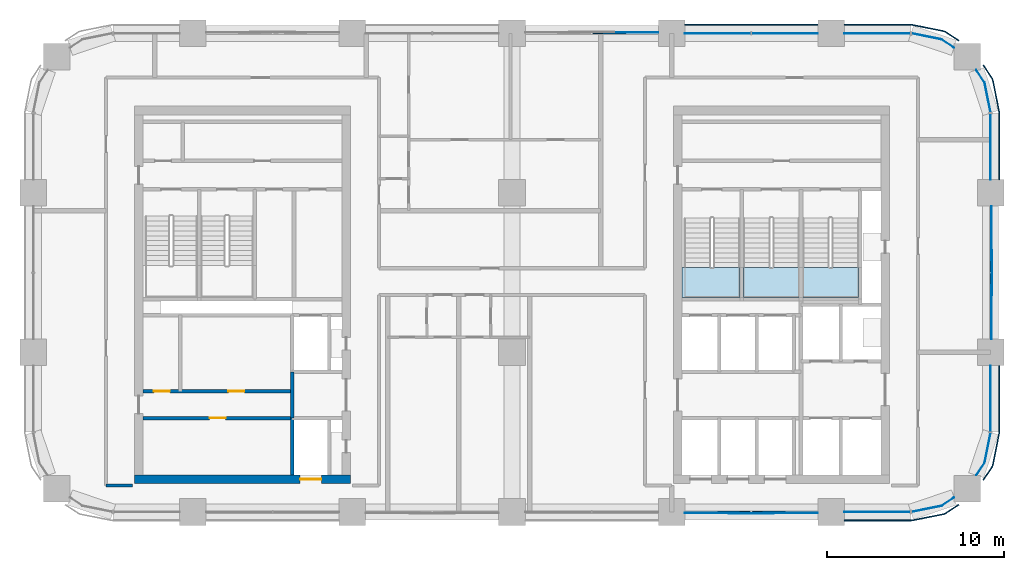
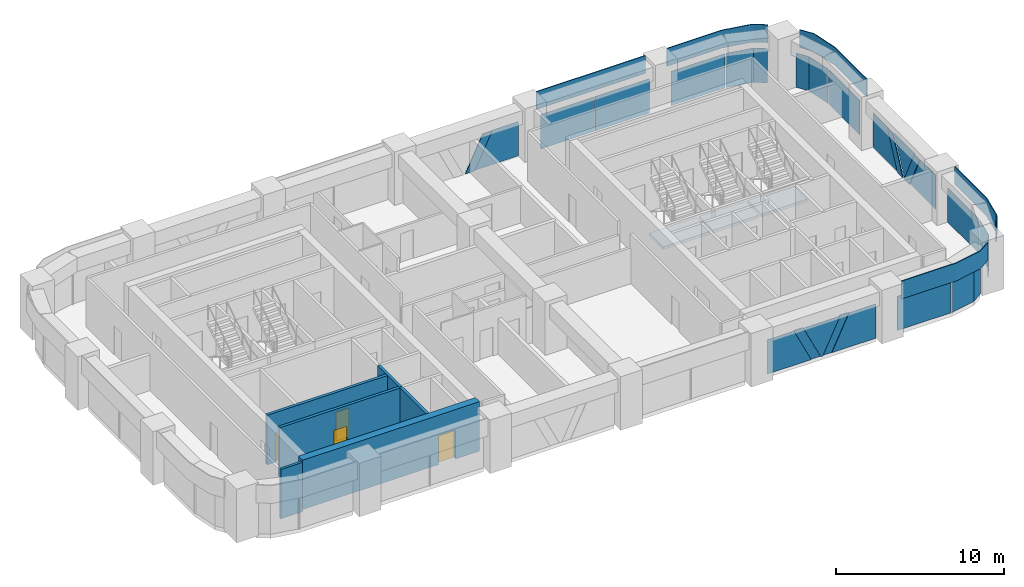
# One storey, part 8 of 14: 27 plates, 6 walls, 4 doors, 3 slabs, 4 openings, 11 elements without a shape of their own.
"""IFC4 building model written with IfcOpenShell, lengths in metres."""

from ifc_helpers import new_model, si_unit, direction, frame, frame_2d, origin, origin_2d, place, context, subcontext, project, spatial, polyline, rectangle, outline, extrude, material, layer, layer_set, type_object, element, fill, aggregate, save


model = new_model("IFC4")

# Units and contexts
model_context = context("Model", 3, precision=1e-05, world=origin(), true_north=direction((0.0, 1.0)))
body_context = subcontext(model_context, "Body", "Model", "MODEL_VIEW")
ifc_project = project(units=[si_unit("LENGTHUNIT", "METRE"), si_unit("AREAUNIT", "SQUARE_METRE"), si_unit("VOLUMEUNIT", "CUBIC_METRE"), si_unit("PLANEANGLEUNIT", "RADIAN"), si_unit("MASSUNIT", "GRAM", prefix="KILO")], contexts=[model_context])

# Site, building, storey
site_placement = place(None, origin())
site = spatial("IfcSite", under=ifc_project, at=site_placement, CompositionType="ELEMENT")
building_placement = place(site_placement, origin())
building = spatial("IfcBuilding", under=site, at=building_placement, Name="Tessera Arch", CompositionType="ELEMENT")
storey_placement = place(building_placement, frame((0.0, 0.0, 173.89990234375)))
storey = spatial("IfcBuildingStorey", under=building, at=storey_placement, Name="L41", CompositionType="ELEMENT", Elevation=173.89990234375)

# Curtain wall, plates
ifc_material_1 = material(Name="CW1 curtain wall")
curtain_wall_type_1 = type_object("IfcCurtainWallType", Name="CW1 curtain wall", PredefinedType="NOTDEFINED", material=ifc_material_1)
curtain_wall_1_placement = place(storey_placement, origin())
curtain_wall_1 = element("IfcCurtainWall", 1, at=curtain_wall_1_placement, inside=storey, type_object=curtain_wall_type_1, Name="CW1 curtain wall N54.0/1 L41", PredefinedType="NOTDEFINED")
ifc_material_2 = material(Name="Clear low-e glass", Category="glass")
ifc_material_3 = material(Name="Clear low-e glass", Category="glass")
ifc_layer_1 = layer(ifc_material_3, 0.028076171875)
ifc_layer_set_1 = layer_set([ifc_layer_1], Name="CW1 glass panel")
plate_type_1 = type_object("IfcPlateType", Name="CW1 glass panel", PredefinedType="CURTAIN_PANEL", material=ifc_layer_set_1)
plate_1_placement = place(storey_placement, frame((42.389892578125, 54.0, 0.0), z_axis=(0.0, 0.0, 1.0), x_axis=(-1.0, 0.0, 0.0)))
plate_1 = element("IfcPlate", 2, at=plate_1_placement, type_object=plate_type_1, material=ifc_material_2, Name="CW1 glass panel N54.0/1 1.1.1", PredefinedType="CURTAIN_PANEL", context=body_context, shape_type="SweptSolid", body=[
    extrude(rectangle(XDim=3.719970703125, YDim=0.028076171875, at=origin_2d()), origin(), (0.0, 0.0, 1.0), 2.5),
])
plate_2_placement = place(storey_placement, frame((38.610107421875, 54.0, 0.0), z_axis=(0.0, 0.0, 1.0), x_axis=(-1.0, 0.0, 0.0)))
plate_2 = element("IfcPlate", 3, at=plate_2_placement, type_object=plate_type_1, material=ifc_material_2, Name="CW1 glass panel N54.0/1 1.2.1", PredefinedType="CURTAIN_PANEL", context=body_context, shape_type="SweptSolid", body=[
    extrude(rectangle(XDim=3.719970703125, YDim=0.028076171875, at=origin_2d()), origin(), (0.0, 0.0, 1.0), 2.5),
])
ifc_material_4 = material(Name="Pale anodised aluminium panel", Category="aluminium")
ifc_layer_2 = layer(ifc_material_4, 0.06005859375)
ifc_layer_set_2 = layer_set([ifc_layer_2], Name="CW1 spandrel panel")
plate_type_2 = type_object("IfcPlateType", Name="CW1 spandrel panel", PredefinedType="CURTAIN_PANEL", material=ifc_layer_set_2)
plate_3_placement = place(storey_placement, frame((40.5, 54.47998046875, 2.60009765625), z_axis=(0.0, 0.0, 1.0), x_axis=(-1.0, 0.0, 0.0)))
plate_3 = element("IfcPlate", 4, at=plate_3_placement, type_object=plate_type_2, Name="CW1 spandrel panel N54.0/1", PredefinedType="CURTAIN_PANEL", context=body_context, shape_type="SweptSolid", body=[
    extrude(rectangle(XDim=7.5, YDim=0.06005859375, at=origin_2d()), origin(), (0.0, 0.0, 1.0), 1.300048828125),
])
aggregate(curtain_wall_1, [plate_1, plate_2, plate_3])

ifc_material_5 = material(Name="CW2 curtain wall")
curtain_wall_type_2 = type_object("IfcCurtainWallType", Name="CW2 curtain wall", PredefinedType="NOTDEFINED", material=ifc_material_5)
curtain_wall_2_placement = place(storey_placement, origin())
curtain_wall_2 = element("IfcCurtainWall", 5, at=curtain_wall_2_placement, inside=storey, type_object=curtain_wall_type_2, Name="CW2 curtain wall E54.27/1 L41", PredefinedType="NOTDEFINED")
ifc_material_6 = material(Name="Clear low-e glass", Category="glass")
ifc_layer_3 = layer(ifc_material_6, 0.028076171875)
ifc_layer_set_3 = layer_set([ifc_layer_3], Name="CW2 glass panel")
plate_type_3 = type_object("IfcPlateType", Name="CW2 glass panel", PredefinedType="CURTAIN_PANEL", material=ifc_layer_set_3)
plate_4_placement = place(storey_placement, frame((54.0, 47.60498046875, 0.0), z_axis=(0.0, 0.0, 1.0), x_axis=(0.0, 1.0, 0.0)))
plate_4 = element("IfcPlate", 6, at=plate_4_placement, type_object=plate_type_3, material=ifc_material_2, Name="CW2 glass panel E54.27/1 1.1", PredefinedType="CURTAIN_PANEL", context=body_context, shape_type="SweptSolid", body=[
    extrude(rectangle(XDim=3.7099609375, YDim=0.028076171875, at=origin_2d()), origin(), (0.0, 0.0, 1.0), 2.5),
])
plate_5_placement = place(storey_placement, origin())
plate_5 = element("IfcPlate", 7, at=plate_5_placement, type_object=plate_type_3, material=ifc_material_2, Name="CW2 curved glass panel E54.27/1 2.1", PredefinedType="CURTAIN_PANEL", context=body_context, shape_type="SweptSolid", body=[
    extrude(outline(polyline([(53.644287109375, 51.216552734375), (53.978515625, 49.53662109375), (54.005859375, 49.5419921875), (53.670654296875, 51.2275390625), (53.19482421875, 51.939697265625), (53.17138671875, 51.92431640625), (53.644287109375, 51.216552734375)])), origin(), (0.0, 0.0, 1.0), 2.5),
])

curtain_wall_3_placement = place(storey_placement, origin())
curtain_wall_3 = element("IfcCurtainWall", 8, at=curtain_wall_3_placement, inside=storey, type_object=curtain_wall_type_2, Name="CW2 curtain wall N54.0/0 L41", PredefinedType="NOTDEFINED")
plate_6_placement = place(storey_placement, frame((47.60498046875, 54.0, 0.0), z_axis=(0.0, 0.0, 1.0), x_axis=(-1.0, 0.0, 0.0)))
plate_6 = element("IfcPlate", 9, at=plate_6_placement, type_object=plate_type_3, material=ifc_material_2, Name="CW2 glass panel N54.0/0 1.1", PredefinedType="CURTAIN_PANEL", context=body_context, shape_type="SweptSolid", body=[
    extrude(rectangle(XDim=3.7099609375, YDim=0.028076171875, at=origin_2d()), origin(), (0.0, 0.0, 1.0), 2.5),
])
plate_7_placement = place(storey_placement, origin())
plate_7 = element("IfcPlate", 10, at=plate_7_placement, type_object=plate_type_3, material=ifc_material_2, Name="CW2 curved glass panel N54.0/0 2.1", PredefinedType="CURTAIN_PANEL", context=body_context, shape_type="SweptSolid", body=[
    extrude(outline(polyline([(51.216552734375, 53.644287109375), (51.92431640625, 53.17138671875), (51.939697265625, 53.19482421875), (51.2275390625, 53.670654296875), (49.5419921875, 54.005859375), (49.53662109375, 53.978515625), (51.216552734375, 53.644287109375)])), origin(), (0.0, 0.0, 1.0), 2.5),
])

curtain_wall_4_placement = place(storey_placement, origin())
curtain_wall_4 = element("IfcCurtainWall", 11, at=curtain_wall_4_placement, inside=storey, type_object=curtain_wall_type_2, Name="CW2 curtain wall S27.0/5 L41", PredefinedType="NOTDEFINED")
plate_8_placement = place(storey_placement, frame((47.60498046875, 27.0, 0.0), z_axis=(0.0, 0.0, 1.0), x_axis=(1.0, 0.0, 0.0)))
plate_8 = element("IfcPlate", 12, at=plate_8_placement, type_object=plate_type_3, material=ifc_material_2, Name="CW2 glass panel S27.0/5 1.1", PredefinedType="CURTAIN_PANEL", context=body_context, shape_type="SweptSolid", body=[
    extrude(rectangle(XDim=3.7099609375, YDim=0.028076171875, at=origin_2d()), origin(), (0.0, 0.0, 1.0), 2.5),
])
plate_9_placement = place(storey_placement, origin())
plate_9 = element("IfcPlate", 13, at=plate_9_placement, type_object=plate_type_3, material=ifc_material_2, Name="CW2 curved glass panel S27.0/5 2.1", PredefinedType="CURTAIN_PANEL", context=body_context, shape_type="SweptSolid", body=[
    extrude(outline(polyline([(51.216552734375, 27.355712890625), (49.53662109375, 27.021484375), (49.5419921875, 26.994140625), (51.2275390625, 27.329345703125), (51.939697265625, 27.80517578125), (51.92431640625, 27.82861328125), (51.216552734375, 27.355712890625)])), origin(), (0.0, 0.0, 1.0), 2.5),
])

curtain_wall_5_placement = place(storey_placement, origin())
curtain_wall_5 = element("IfcCurtainWall", 14, at=curtain_wall_5_placement, inside=storey, type_object=curtain_wall_type_2, Name="CW2 curtain wall E54.27/2 L41", PredefinedType="NOTDEFINED")
plate_10_placement = place(storey_placement, frame((54.0, 33.39501953125, 0.0), z_axis=(0.0, 0.0, 1.0), x_axis=(0.0, 1.0, 0.0)))
plate_10 = element("IfcPlate", 15, at=plate_10_placement, type_object=plate_type_3, material=ifc_material_2, Name="CW2 glass panel E54.27/2 1.1", PredefinedType="CURTAIN_PANEL", context=body_context, shape_type="SweptSolid", body=[
    extrude(rectangle(XDim=3.7099609375, YDim=0.028076171875, at=origin_2d()), origin(), (0.0, 0.0, 1.0), 2.5),
])
plate_11_placement = place(storey_placement, origin())
plate_11 = element("IfcPlate", 16, at=plate_11_placement, type_object=plate_type_3, material=ifc_material_2, Name="CW2 curved glass panel E54.27/2 2.1", PredefinedType="CURTAIN_PANEL", context=body_context, shape_type="SweptSolid", body=[
    extrude(outline(polyline([(53.644287109375, 29.783447265625), (53.17138671875, 29.07568359375), (53.19482421875, 29.060302734375), (53.670654296875, 29.7724609375), (54.005859375, 31.4580078125), (53.978515625, 31.46337890625), (53.644287109375, 29.783447265625)])), origin(), (0.0, 0.0, 1.0), 2.5),
])

# Plate
ifc_material_7 = material(Name="Pale anodised aluminium panel", Category="aluminium")
ifc_layer_4 = layer(ifc_material_7, 0.06005859375)
ifc_layer_set_4 = layer_set([ifc_layer_4], Name="CW2 spandrel panel")
plate_type_4 = type_object("IfcPlateType", Name="CW2 spandrel panel", PredefinedType="CURTAIN_PANEL", material=ifc_layer_set_4)
plate_12_placement = place(storey_placement, frame((0.0, 0.0, 2.60009765625)))
plate_12 = element("IfcPlate", 17, at=plate_12_placement, type_object=plate_type_4, Name="CW2 spandrel panel E54.27/1", PredefinedType="CURTAIN_PANEL", context=body_context, shape_type="SweptSolid", body=[
    extrude(outline(polyline([(54.449951171875, 49.499267578125), (54.449951171875, 45.75), (54.510009765625, 45.75), (54.510009765625, 49.500732421875), (54.507568359375, 49.550048828125), (54.500244140625, 49.598876953125), (54.157470703125, 51.322265625), (54.1455078125, 51.3701171875), (54.128662109375, 51.417236328125), (54.107421875, 51.462646484375), (54.08203125, 51.5048828125), (53.607177734375, 52.21533203125), (53.55712890625, 52.18212890625), (54.03125, 51.47265625), (54.054443359375, 51.434326171875), (54.0732421875, 51.394287109375), (54.088134765625, 51.352783203125), (54.09912109375, 51.30908203125), (54.441162109375, 49.588623046875), (54.44775390625, 49.544189453125), (54.449951171875, 49.499267578125)])), origin(), (0.0, 0.0, 1.0), 1.300048828125),
])

aggregate(curtain_wall_2, [plate_4, plate_5, plate_12])

plate_13_placement = place(storey_placement, frame((0.0, 0.0, 2.60009765625)))
plate_13 = element("IfcPlate", 18, at=plate_13_placement, type_object=plate_type_4, Name="CW2 spandrel panel N54.0/0", PredefinedType="CURTAIN_PANEL", context=body_context, shape_type="SweptSolid", body=[
    extrude(outline(polyline([(51.47265625, 54.03125), (52.18212890625, 53.55712890625), (52.21533203125, 53.607177734375), (51.5048828125, 54.08203125), (51.462646484375, 54.107421875), (51.417236328125, 54.128662109375), (51.3701171875, 54.1455078125), (51.322265625, 54.157470703125), (49.598876953125, 54.500244140625), (49.550048828125, 54.507568359375), (49.500732421875, 54.510009765625), (45.75, 54.510009765625), (45.75, 54.449951171875), (49.499267578125, 54.449951171875), (49.544189453125, 54.44775390625), (49.588623046875, 54.441162109375), (51.30908203125, 54.09912109375), (51.352783203125, 54.088134765625), (51.394287109375, 54.0732421875), (51.434326171875, 54.054443359375), (51.47265625, 54.03125)])), origin(), (0.0, 0.0, 1.0), 1.300048828125),
])

aggregate(curtain_wall_3, [plate_6, plate_7, plate_13])

plate_14_placement = place(storey_placement, frame((0.0, 0.0, 2.60009765625)))
plate_14 = element("IfcPlate", 19, at=plate_14_placement, type_object=plate_type_4, Name="CW2 spandrel panel S27.0/5", PredefinedType="CURTAIN_PANEL", context=body_context, shape_type="SweptSolid", body=[
    extrude(outline(polyline([(49.499267578125, 26.550048828125), (45.75, 26.550048828125), (45.75, 26.489990234375), (49.500732421875, 26.489990234375), (49.550048828125, 26.492431640625), (49.598876953125, 26.499755859375), (51.322265625, 26.842529296875), (51.3701171875, 26.8544921875), (51.417236328125, 26.871337890625), (51.462646484375, 26.892578125), (51.5048828125, 26.91796875), (52.21533203125, 27.392822265625), (52.18212890625, 27.44287109375), (51.47265625, 26.96875), (51.434326171875, 26.945556640625), (51.394287109375, 26.9267578125), (51.352783203125, 26.911865234375), (51.30908203125, 26.90087890625), (49.588623046875, 26.558837890625), (49.544189453125, 26.55224609375), (49.499267578125, 26.550048828125)])), origin(), (0.0, 0.0, 1.0), 1.300048828125),
])

aggregate(curtain_wall_4, [plate_8, plate_9, plate_14])

plate_15_placement = place(storey_placement, frame((0.0, 0.0, 2.60009765625)))
plate_15 = element("IfcPlate", 20, at=plate_15_placement, type_object=plate_type_4, Name="CW2 spandrel panel E54.27/2", PredefinedType="CURTAIN_PANEL", context=body_context, shape_type="SweptSolid", body=[
    extrude(outline(polyline([(54.03125, 29.52734375), (53.55712890625, 28.81787109375), (53.607177734375, 28.78466796875), (54.08203125, 29.4951171875), (54.107421875, 29.537353515625), (54.128662109375, 29.582763671875), (54.1455078125, 29.6298828125), (54.157470703125, 29.677734375), (54.500244140625, 31.401123046875), (54.507568359375, 31.449951171875), (54.510009765625, 31.499267578125), (54.510009765625, 35.25), (54.449951171875, 35.25), (54.449951171875, 31.500732421875), (54.44775390625, 31.455810546875), (54.441162109375, 31.411376953125), (54.09912109375, 29.69091796875), (54.088134765625, 29.647216796875), (54.0732421875, 29.605712890625), (54.054443359375, 29.565673828125), (54.03125, 29.52734375)])), origin(), (0.0, 0.0, 1.0), 1.300048828125),
])

aggregate(curtain_wall_5, [plate_10, plate_11, plate_15])

# Curtain wall, plates
ifc_material_8 = material(Name="CW3 curtain wall")
curtain_wall_type_3 = type_object("IfcCurtainWallType", Name="CW3 curtain wall", PredefinedType="NOTDEFINED", material=ifc_material_8)
curtain_wall_6_placement = place(storey_placement, origin())
curtain_wall_6 = element("IfcCurtainWall", 21, at=curtain_wall_6_placement, inside=storey, type_object=curtain_wall_type_3, Name="CW3 curtain wall E54.27/0 L41", PredefinedType="NOTDEFINED")
ifc_material_9 = material(Name="Pale anodised aluminium panel", Category="aluminium")
ifc_layer_5 = layer(ifc_material_9, 0.06005859375)
ifc_layer_set_5 = layer_set([ifc_layer_5], Name="CW3 diagonal panel")
plate_type_5 = type_object("IfcPlateType", Name="CW3 diagonal panel", PredefinedType="CURTAIN_PANEL", material=ifc_layer_set_5)
plate_16_placement = place(storey_placement, frame((54.030029296875, 42.40673828125, 2.5), z_axis=(1.0, 0.0, 0.0), x_axis=(0.0, -1.0, 0.0)))
plate_16 = element("IfcPlate", 22, at=plate_16_placement, type_object=plate_type_5, Name="CW3 diagonal panel E54.27/0 1", PredefinedType="CURTAIN_PANEL", context=body_context, shape_type="SweptSolid", body=[
    extrude(outline(polyline([(0.0, 0.0), (0.640380859375, 0.0), (1.84228515625, 2.5), (1.201904296875, 2.5), (0.0, 0.0)])), origin(), (0.0, 0.0, -1.0), 0.06005859375),
])
plate_17_placement = place(storey_placement, frame((54.030029296875, 39.233642578125, 2.5), z_axis=(1.0, 0.0, 0.0), x_axis=(0.0, -1.0, 0.0)))
plate_17 = element("IfcPlate", 23, at=plate_17_placement, type_object=plate_type_5, Name="CW3 diagonal panel E54.27/0 2", PredefinedType="CURTAIN_PANEL", context=body_context, shape_type="SweptSolid", body=[
    extrude(outline(polyline([(0.0, 0.0), (0.640380859375, 0.0), (-0.5615234375, 2.5), (-1.201904296875, 2.5), (0.0, 0.0)])), origin(), (0.0, 0.0, -1.0), 0.06005859375),
])

# Curtain wall, plate
curtain_wall_7_placement = place(storey_placement, origin())
curtain_wall_7 = element("IfcCurtainWall", 24, at=curtain_wall_7_placement, inside=storey, type_object=curtain_wall_type_3, Name="CW3 curtain wall N54.0/2 L41", PredefinedType="NOTDEFINED")
plate_18_placement = place(storey_placement, frame((32.766357421875, 54.030029296875, 2.5), z_axis=(0.0, 1.0, 0.0), x_axis=(1.0, 0.0, 0.0)))
plate_18 = element("IfcPlate", 25, at=plate_18_placement, type_object=plate_type_5, Name="CW3 diagonal panel N54.0/2 2", PredefinedType="CURTAIN_PANEL", context=body_context, shape_type="SweptSolid", body=[
    extrude(outline(polyline([(0.0, 0.0), (0.640380859375, 0.0), (-0.5615234375, 2.5), (-1.201904296875, 2.5), (0.0, 0.0)])), origin(), (0.0, 0.0, -1.0), 0.06005859375),
])

# Curtain wall, plates
curtain_wall_8_placement = place(storey_placement, origin())
curtain_wall_8 = element("IfcCurtainWall", 26, at=curtain_wall_8_placement, inside=storey, type_object=curtain_wall_type_3, Name="CW3 curtain wall S27.0/4 L41", PredefinedType="NOTDEFINED")
plate_19_placement = place(storey_placement, frame((42.40673828125, 26.969970703125, 2.5), z_axis=(0.0, -1.0, 0.0), x_axis=(-1.0, 0.0, 0.0)))
plate_19 = element("IfcPlate", 27, at=plate_19_placement, type_object=plate_type_5, Name="CW3 diagonal panel S27.0/4 1", PredefinedType="CURTAIN_PANEL", context=body_context, shape_type="SweptSolid", body=[
    extrude(outline(polyline([(0.0, 0.0), (0.640380859375, 0.0), (1.84228515625, 2.5), (1.201904296875, 2.5), (0.0, 0.0)])), origin(), (0.0, 0.0, -1.0), 0.06005859375),
])
plate_20_placement = place(storey_placement, frame((39.233642578125, 26.969970703125, 2.5), z_axis=(0.0, -1.0, 0.0), x_axis=(-1.0, 0.0, 0.0)))
plate_20 = element("IfcPlate", 28, at=plate_20_placement, type_object=plate_type_5, Name="CW3 diagonal panel S27.0/4 2", PredefinedType="CURTAIN_PANEL", context=body_context, shape_type="SweptSolid", body=[
    extrude(outline(polyline([(0.0, 0.0), (0.640380859375, 0.0), (-0.5615234375, 2.5), (-1.201904296875, 2.5), (0.0, 0.0)])), origin(), (0.0, 0.0, -1.0), 0.06005859375),
])

# Plate
ifc_material_10 = material(Name="Clear low-e glass", Category="glass")
ifc_layer_6 = layer(ifc_material_10, 0.028076171875)
ifc_layer_set_6 = layer_set([ifc_layer_6], Name="CW3 glass panel")
plate_type_6 = type_object("IfcPlateType", Name="CW3 glass panel", PredefinedType="CURTAIN_PANEL", material=ifc_layer_set_6)
plate_21_placement = place(storey_placement, frame((54.05810546875, 36.75, 0.0), z_axis=(1.0, 0.0, 0.0), x_axis=(0.0, 1.0, 0.0)))
plate_21 = element("IfcPlate", 29, at=plate_21_placement, type_object=plate_type_6, material=ifc_material_2, Name="CW3 triangulated glass panel E54.27/0 1", PredefinedType="CURTAIN_PANEL", context=body_context, shape_type="SweptSolid", body=[
    extrude(outline(polyline([(0.0, 0.0), (3.045166015625, 0.0), (1.84326171875, 2.5), (0.0, 2.5), (0.0, 0.0)])), origin(), (0.0, 0.0, -1.0), 0.028076171875),
])

plate_22_placement = place(storey_placement, frame((54.0859375, 41.766357421875, 2.5), z_axis=(1.0, 0.0, 0.0), x_axis=(0.0, -1.0, 0.0)))
plate_22 = element("IfcPlate", 30, at=plate_22_placement, type_object=plate_type_6, material=ifc_material_2, Name="CW3 triangulated glass panel E54.27/0 2", PredefinedType="CURTAIN_PANEL", context=body_context, shape_type="SweptSolid", body=[
    extrude(outline(polyline([(0.0, 0.0), (2.53271484375, 0.0), (1.330810546875, 2.5), (1.201904296875, 2.5), (0.0, 0.0)])), origin(), (0.0, 0.0, -1.0), 0.028076171875),
])

plate_23_placement = place(storey_placement, frame((54.05810546875, 44.25, 2.5), z_axis=(1.0, 0.0, 0.0), x_axis=(0.0, -1.0, 0.0)))
plate_23 = element("IfcPlate", 31, at=plate_23_placement, type_object=plate_type_6, material=ifc_material_2, Name="CW3 triangulated glass panel E54.27/0 3", PredefinedType="CURTAIN_PANEL", context=body_context, shape_type="SweptSolid", body=[
    extrude(outline(polyline([(0.0, 0.0), (1.84326171875, 0.0), (3.045166015625, 2.5), (0.0, 2.5), (0.0, 0.0)])), origin(), (0.0, 0.0, -1.0), 0.028076171875),
])

aggregate(curtain_wall_6, [plate_21, plate_22, plate_23, plate_16, plate_17])

plate_24_placement = place(storey_placement, frame((35.25, 54.05810546875, 0.0), z_axis=(0.0, 1.0, 0.0), x_axis=(-1.0, 0.0, 0.0)))
plate_24 = element("IfcPlate", 32, at=plate_24_placement, type_object=plate_type_6, material=ifc_material_2, Name="CW3 triangulated glass panel N54.0/2 1", PredefinedType="CURTAIN_PANEL", context=body_context, shape_type="SweptSolid", body=[
    extrude(outline(polyline([(0.0, 0.0), (3.045166015625, 0.0), (1.84326171875, 2.5), (0.0, 2.5), (0.0, 0.0)])), origin(), (0.0, 0.0, -1.0), 0.028076171875),
])

aggregate(curtain_wall_7, [plate_24, plate_18])

plate_25_placement = place(storey_placement, frame((36.75, 26.94189453125, 0.0), z_axis=(0.0, -1.0, 0.0), x_axis=(1.0, 0.0, 0.0)))
plate_25 = element("IfcPlate", 33, at=plate_25_placement, type_object=plate_type_6, material=ifc_material_2, Name="CW3 triangulated glass panel S27.0/4 1", PredefinedType="CURTAIN_PANEL", context=body_context, shape_type="SweptSolid", body=[
    extrude(outline(polyline([(0.0, 0.0), (3.045166015625, 0.0), (1.84326171875, 2.5), (0.0, 2.5), (0.0, 0.0)])), origin(), (0.0, 0.0, -1.0), 0.028076171875),
])

plate_26_placement = place(storey_placement, frame((41.766357421875, 26.9140625, 2.5), z_axis=(0.0, -1.0, 0.0), x_axis=(-1.0, 0.0, 0.0)))
plate_26 = element("IfcPlate", 34, at=plate_26_placement, type_object=plate_type_6, material=ifc_material_2, Name="CW3 triangulated glass panel S27.0/4 2", PredefinedType="CURTAIN_PANEL", context=body_context, shape_type="SweptSolid", body=[
    extrude(outline(polyline([(0.0, 0.0), (2.53271484375, 0.0), (1.330810546875, 2.5), (1.201904296875, 2.5), (0.0, 0.0)])), origin(), (0.0, 0.0, -1.0), 0.028076171875),
])

plate_27_placement = place(storey_placement, frame((44.25, 26.94189453125, 2.5), z_axis=(0.0, -1.0, 0.0), x_axis=(-1.0, 0.0, 0.0)))
plate_27 = element("IfcPlate", 35, at=plate_27_placement, type_object=plate_type_6, material=ifc_material_2, Name="CW3 triangulated glass panel S27.0/4 3", PredefinedType="CURTAIN_PANEL", context=body_context, shape_type="SweptSolid", body=[
    extrude(outline(polyline([(0.0, 0.0), (1.84326171875, 0.0), (3.045166015625, 2.5), (0.0, 2.5), (0.0, 0.0)])), origin(), (0.0, 0.0, -1.0), 0.028076171875),
])

aggregate(curtain_wall_8, [plate_25, plate_26, plate_27, plate_19, plate_20])

# Stair, slab
ifc_material_11 = material(Name="Concrete C40/50", Category="concrete")
stair_type = type_object("IfcStairType", Name="Dogleg stair 1520", PredefinedType="HALF_TURN_STAIR", material=ifc_material_11)
stair_1_placement = place(storey_placement, origin())
stair_1 = element("IfcStair", 36, at=stair_1_placement, inside=storey, type_object=stair_type, Name="L41 S1a", PredefinedType="HALF_TURN_STAIR")
ifc_material_12 = material(Name="Concrete C40/50", Category="concrete")
ifc_layer_7 = layer(ifc_material_12, 0.300048828125)
ifc_layer_set_7 = layer_set([ifc_layer_7], Name="Stair landing 300")
slab_type = type_object("IfcSlabType", Name="Stair landing 300", PredefinedType="LANDING", material=ifc_layer_set_7)
slab_1_placement = place(storey_placement, frame((0.0, 0.0, 1.75)))
slab_1 = element("IfcSlab", 37, at=slab_1_placement, type_object=slab_type, Name="S1a landing 1", PredefinedType="LANDING", context=body_context, shape_type="SweptSolid", body=[
    extrude(outline(polyline([(36.60009765625, 40.780029296875), (36.60009765625, 39.10009765625), (39.85009765625, 39.10009765625), (39.85009765625, 40.780029296875), (36.60009765625, 40.780029296875)])), origin(), (0.0, 0.0, 1.0), 0.2001953125),
])
aggregate(stair_1, [slab_1])

stair_2_placement = place(storey_placement, origin())
stair_2 = element("IfcStair", 38, at=stair_2_placement, inside=storey, type_object=stair_type, Name="L41 S1b", PredefinedType="HALF_TURN_STAIR")
slab_2_placement = place(storey_placement, frame((0.0, 0.0, 1.75)))
slab_2 = element("IfcSlab", 39, at=slab_2_placement, type_object=slab_type, Name="S1b landing 1", PredefinedType="LANDING", context=body_context, shape_type="SweptSolid", body=[
    extrude(outline(polyline([(40.050048828125, 40.780029296875), (40.050048828125, 39.10009765625), (43.199951171875, 39.10009765625), (43.199951171875, 40.780029296875), (40.050048828125, 40.780029296875)])), origin(), (0.0, 0.0, 1.0), 0.2001953125),
])
aggregate(stair_2, [slab_2])

stair_3_placement = place(storey_placement, origin())
stair_3 = element("IfcStair", 40, at=stair_3_placement, inside=storey, type_object=stair_type, Name="L41 S1c", PredefinedType="HALF_TURN_STAIR")
slab_3_placement = place(storey_placement, frame((0.0, 0.0, 1.75)))
slab_3 = element("IfcSlab", 41, at=slab_3_placement, type_object=slab_type, Name="S1c landing 1", PredefinedType="LANDING", context=body_context, shape_type="SweptSolid", body=[
    extrude(outline(polyline([(43.39990234375, 40.780029296875), (43.39990234375, 39.10009765625), (46.550048828125, 39.10009765625), (46.550048828125, 40.780029296875), (43.39990234375, 40.780029296875)])), origin(), (0.0, 0.0, 1.0), 0.2001953125),
])
aggregate(stair_3, [slab_3])

# Wall
ifc_material_13 = material(Name="Gypsum board on steel stud", Category="steel")
ifc_layer_8 = layer(ifc_material_13, 0.125)
ifc_layer_set_8 = layer_set([ifc_layer_8], Name="Core partition 125 EI 60")
wall_type_1 = type_object("IfcWallType", Name="Core partition 125 EI 60", PredefinedType="PARTITIONING", material=ifc_layer_set_8)
wall_1_placement = place(storey_placement, frame((14.60009765625, 32.300048828125, 0.0), z_axis=(0.0, 0.0, 1.0), x_axis=(0.0, 1.0, 0.0)))
element("IfcWall", 42, at=wall_1_placement, inside=storey, type_object=wall_type_1, Name="L41 C2 partition wall 7", PredefinedType="PARTITIONING", context=body_context, shape_type="SweptSolid", body=[
    extrude(rectangle(XDim=2.599853515625, YDim=0.199951171875, at=frame_2d((1.2998046875, 0.0))), origin(), (0.0, 0.0, 1.0), 3.60009765625),
])

# Wall, opening, door
wall_2_placement = place(storey_placement, frame((6.199951171875, 32.300048828125, 0.0), z_axis=(0.0, 0.0, 1.0), x_axis=(1.0, 0.0, 0.0)))
wall_2 = element("IfcWall", 43, at=wall_2_placement, inside=storey, type_object=wall_type_1, Name="L41 C2 partition wall 13", PredefinedType="PARTITIONING", context=body_context, shape_type="SweptSolid", body=[
    extrude(rectangle(XDim=8.400146484375, YDim=0.199951171875, at=frame_2d((4.2001953125, 0.0))), origin(), (0.0, 0.0, 1.0), 3.60009765625),
])
opening_1_placement = place(wall_2_placement, frame((3.75, 0.0, 0.0)))
opening_1 = element("IfcOpeningElement", 44, at=opening_1_placement, cuts=wall_2, Name="Opening L41-C32", PredefinedType="OPENING", context=body_context, shape_type="SweptSolid", body=[
    extrude(rectangle(XDim=0.89990234375, YDim=2.10009765625, at=frame_2d((0.449951171875, 1.050048828125))), frame((0.0, 0.10986328125, 0.0), z_axis=(0.0, -1.0, 0.0), x_axis=(1.0, 0.0, 0.0)), (0.0, 0.0, 1.0), 0.219970703125),
])
ifc_material_14 = material(Name="Steel door leaf", Category="steel")
door_type_1 = type_object("IfcDoorType", Name="Store door FD30S 900 x 2100", OperationType="SINGLE_SWING_LEFT", PredefinedType="DOOR", material=ifc_material_14)
door_1_placement = place(opening_1_placement, origin())
door_1 = element("IfcDoor", 45, at=door_1_placement, inside=storey, type_object=door_type_1, Name="L41 C2 door 14 C32 type D09", OperationType="SINGLE_SWING_RIGHT", OverallHeight=2.10009765625, OverallWidth=0.89990234375, PredefinedType="DOOR", context=body_context, shape_type="SweptSolid", body=[
    extrude(rectangle(XDim=0.89990234375, YDim=2.10009765625, at=frame_2d((0.449951171875, 1.050048828125))), frame((0.0, 0.02490234375, 0.0), z_axis=(0.0, -1.0, 0.0), x_axis=(1.0, 0.0, 0.0)), (0.0, 0.0, 1.0), 0.050048828125),
])
fill(opening_1, door_1)

# Wall, openings, doors
wall_3_placement = place(storey_placement, frame((6.199951171875, 33.800048828125, 0.0), z_axis=(0.0, 0.0, 1.0), x_axis=(1.0, 0.0, 0.0)))
wall_3 = element("IfcWall", 46, at=wall_3_placement, inside=storey, type_object=wall_type_1, Name="L41 C2 partition wall 15", PredefinedType="PARTITIONING", context=body_context, shape_type="SweptSolid", body=[
    extrude(rectangle(XDim=8.400146484375, YDim=0.199951171875, at=frame_2d((4.2001953125, 0.0))), origin(), (0.0, 0.0, 1.0), 3.60009765625),
])
opening_2_placement = place(wall_3_placement, frame((0.60009765625, 0.0, 0.0)))
opening_2 = element("IfcOpeningElement", 47, at=opening_2_placement, cuts=wall_3, Name="Opening L41-C33", PredefinedType="OPENING", context=body_context, shape_type="SweptSolid", body=[
    extrude(rectangle(XDim=0.89990234375, YDim=2.10009765625, at=frame_2d((0.449951171875, 1.050048828125))), frame((0.0, 0.10986328125, 0.0), z_axis=(0.0, -1.0, 0.0), x_axis=(1.0, 0.0, 0.0)), (0.0, 0.0, 1.0), 0.219970703125),
])
opening_3_placement = place(wall_3_placement, frame((4.800048828125, 0.0, 0.0)))
opening_3 = element("IfcOpeningElement", 48, at=opening_3_placement, cuts=wall_3, Name="Opening L41-C34", PredefinedType="OPENING", context=body_context, shape_type="SweptSolid", body=[
    extrude(rectangle(XDim=0.89990234375, YDim=2.10009765625, at=frame_2d((0.449951171875, 1.050048828125))), frame((0.0, 0.10986328125, 0.0), z_axis=(0.0, -1.0, 0.0), x_axis=(1.0, 0.0, 0.0)), (0.0, 0.0, 1.0), 0.219970703125),
])
door_2_placement = place(opening_2_placement, origin())
door_2 = element("IfcDoor", 49, at=door_2_placement, inside=storey, type_object=door_type_1, Name="L41 C2 door 15 C33 type D09", OperationType="SINGLE_SWING_LEFT", OverallHeight=2.10009765625, OverallWidth=0.89990234375, PredefinedType="DOOR", context=body_context, shape_type="SweptSolid", body=[
    extrude(rectangle(XDim=0.89990234375, YDim=2.10009765625, at=frame_2d((0.449951171875, 1.050048828125))), frame((0.0, 0.02490234375, 0.0), z_axis=(0.0, -1.0, 0.0), x_axis=(1.0, 0.0, 0.0)), (0.0, 0.0, 1.0), 0.050048828125),
])
fill(opening_2, door_2)
door_3_placement = place(opening_3_placement, origin())
door_3 = element("IfcDoor", 50, at=door_3_placement, inside=storey, type_object=door_type_1, Name="L41 C2 door 16 C34 type D09", OperationType="SINGLE_SWING_RIGHT", OverallHeight=2.10009765625, OverallWidth=0.89990234375, PredefinedType="DOOR", context=body_context, shape_type="SweptSolid", body=[
    extrude(rectangle(XDim=0.89990234375, YDim=2.10009765625, at=frame_2d((0.449951171875, 1.050048828125))), frame((0.0, 0.02490234375, 0.0), z_axis=(0.0, -1.0, 0.0), x_axis=(1.0, 0.0, 0.0)), (0.0, 0.0, 1.0), 0.050048828125),
])
fill(opening_3, door_3)

# Wall, opening, door
ifc_material_15 = material(Name="Concrete C60/75", Category="concrete")
ifc_layer_9 = layer(ifc_material_15, 0.5)
ifc_layer_set_9 = layer_set([ifc_layer_9], Name="Core shell wall 500 C60-75")
wall_type_2 = type_object("IfcWallType", Name="Core shell wall 500 C60-75", PredefinedType="SHEAR", material=ifc_layer_set_9)
wall_4_placement = place(storey_placement, frame((5.699951171875, 28.85009765625, 0.0), z_axis=(0.0, 0.0, 1.0), x_axis=(1.0, 0.0, 0.0)))
wall_4 = element("IfcWall", 51, at=wall_4_placement, inside=storey, type_object=wall_type_2, Name="L41 C2 core wall S", PredefinedType="SHEAR", context=body_context, shape_type="SweptSolid", body=[
    extrude(rectangle(XDim=12.199951171875, YDim=0.5, at=frame_2d((6.10009765625, 0.0))), origin(), (0.0, 0.0, 1.0), 3.60009765625),
])
opening_4_placement = place(wall_4_placement, frame((9.35009765625, 0.0, 0.0)))
opening_4 = element("IfcOpeningElement", 52, at=opening_4_placement, cuts=wall_4, Name="Opening L41-C19", PredefinedType="OPENING", context=body_context, shape_type="SweptSolid", body=[
    extrude(rectangle(XDim=1.199951171875, YDim=2.10009765625, at=frame_2d((0.60009765625, 1.050048828125))), frame((0.0, 0.260009765625, 0.0), z_axis=(0.0, -1.0, 0.0), x_axis=(1.0, 0.0, 0.0)), (0.0, 0.0, 1.0), 0.52001953125),
])
ifc_material_16 = material(Name="Stainless steel AISI 304", Category="steel")
door_type_2 = type_object("IfcDoorType", Name="Sliding landing door 1200 x 2100", OperationType="SLIDING_TO_LEFT", PredefinedType="DOOR", material=ifc_material_16)
door_4_placement = place(opening_4_placement, origin())
door_4 = element("IfcDoor", 53, at=door_4_placement, inside=storey, type_object=door_type_2, Name="L41 HR7 lift landing door C19 type LD", OperationType="SLIDING_TO_LEFT", OverallHeight=2.10009765625, OverallWidth=1.199951171875, PredefinedType="DOOR", context=body_context, shape_type="SweptSolid", body=[
    extrude(rectangle(XDim=1.199951171875, YDim=2.10009765625, at=frame_2d((0.60009765625, 1.050048828125))), frame((0.0, 0.02490234375, 0.0), z_axis=(0.0, -1.0, 0.0), x_axis=(1.0, 0.0, 0.0)), (0.0, 0.0, 1.0), 0.050048828125),
])
fill(opening_4, door_4)

# Walls
ifc_material_17 = material(Name="Gypsum board on deep steel stud with mineral wool", Category="steel")
ifc_layer_10 = layer(ifc_material_17, 0.175048828125)
ifc_layer_set_10 = layer_set([ifc_layer_10], Name="Corridor wall 175 EI 60")
wall_type_3 = type_object("IfcWallType", Name="Corridor wall 175 EI 60", PredefinedType="PARTITIONING", material=ifc_layer_set_10)
wall_5_placement = place(storey_placement, frame((4.10009765625, 28.5, 0.0), z_axis=(0.0, 0.0, 1.0), x_axis=(1.0, 0.0, 0.0)))
element("IfcWall", 54, at=wall_5_placement, inside=storey, type_object=wall_type_3, Name="L41 partition 1", PredefinedType="PARTITIONING", context=body_context, shape_type="SweptSolid", body=[
    extrude(rectangle(XDim=1.5, YDim=0.175048828125, at=frame_2d((0.75, 0.0))), origin(), (0.0, 0.0, 1.0), 3.60009765625),
])
ifc_material_18 = material(Name="Concrete C40/50", Category="concrete")
ifc_layer_11 = layer(ifc_material_18, 0.199951171875)
ifc_layer_set_11 = layer_set([ifc_layer_11], Name="Shaft wall 200 EI 120")
wall_type_4 = type_object("IfcWallType", Name="Shaft wall 200 EI 120", PredefinedType="SOLIDWALL", material=ifc_layer_set_11)
wall_6_placement = place(storey_placement, frame((14.60009765625, 29.10009765625, 0.0), z_axis=(0.0, 0.0, 1.0), x_axis=(0.0, 1.0, 0.0)))
element("IfcWall", 55, at=wall_6_placement, inside=storey, type_object=wall_type_4, Name="L41 C2 shaft wall 8", PredefinedType="SOLIDWALL", context=body_context, shape_type="SweptSolid", body=[
    extrude(rectangle(XDim=3.199951171875, YDim=0.199951171875, at=frame_2d((1.60009765625, 0.0))), origin(), (0.0, 0.0, 1.0), 3.60009765625),
])

save(model, "model.ifc")
